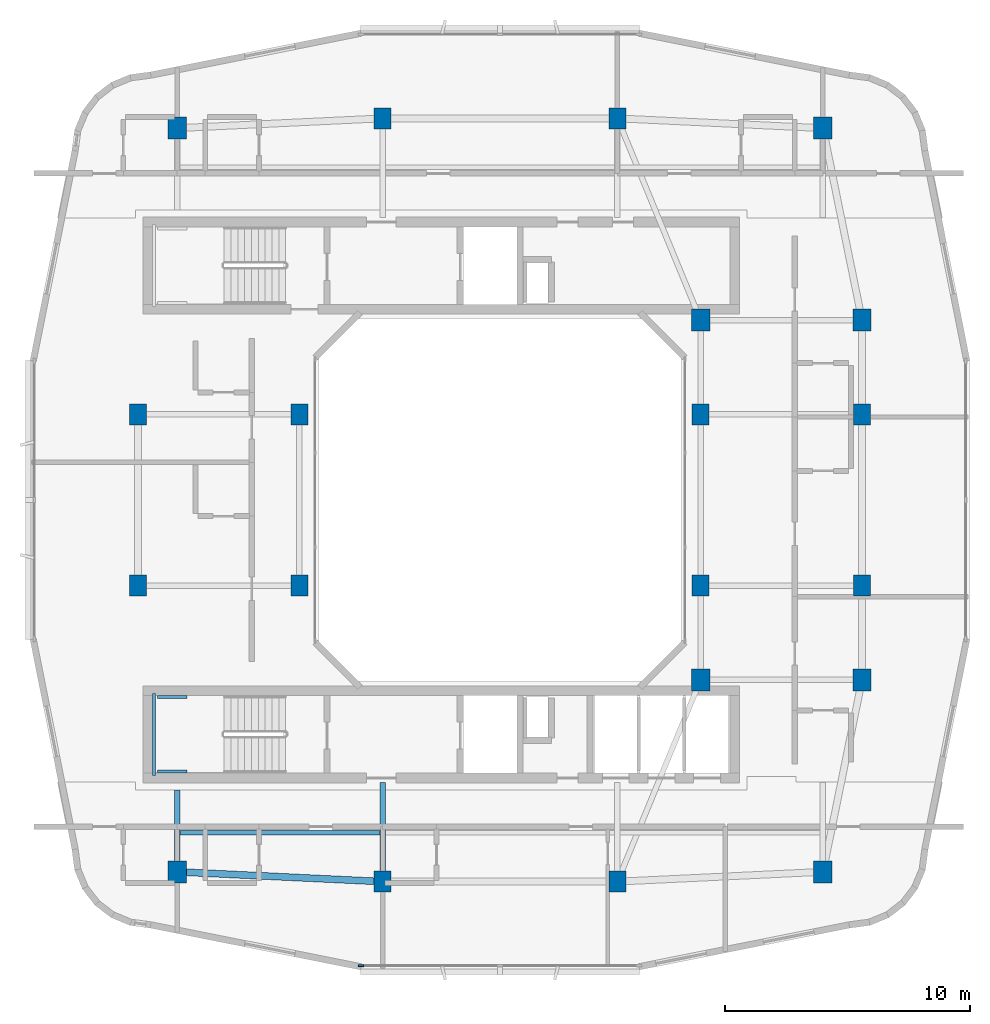
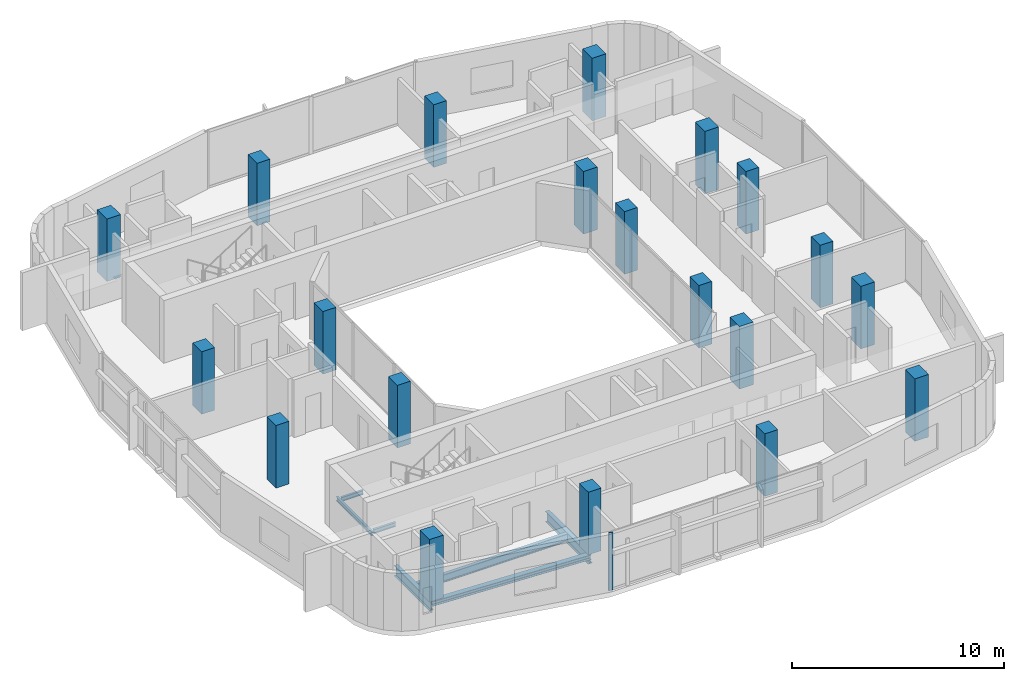
# One storey, part 1 of 14: 20 columns, 7 beams, 1 member, 1 element without a shape of its own.
"""IFC4 building model written with IfcOpenShell, lengths in metres."""

import ifcopenshell
import ifcopenshell.guid

model = None  # the IFC model being written
_history = None  # IfcOwnerHistory: only IFC2X3 demands one
_inside = {}  # id of a spatial element -> (the spatial element, [elements in it])
_under = {}  # id of a project, library or spatial element -> (it, [spatial elements below it])
_declared = {}  # id of a project -> (the project, [libraries it declares])
_typed = {}  # id of a type object -> (the type object, [elements of that type])
_made_of = {}  # id of a material, layer set ... -> (it, [elements and type objects made of it])


def new_model(schema):
    """Start an empty IFC model of exactly this schema.

    Asked for "IFC4X3", IfcOpenShell would pick the latest addendum, in which some entities
    have other attributes; the version numbers below select the first issue.
    IFC2X3 requires an IfcOwnerHistory on every rooted entity: one is made here for all.
    """
    global model, _history
    if schema == "IFC4X3":
        model = ifcopenshell.file(schema_version=(4, 3, 0, 0))
    else:
        model = ifcopenshell.file(schema=schema)
    _inside.clear()
    _under.clear()
    _declared.clear()
    _typed.clear()
    _made_of.clear()
    _history = None
    if model.schema == "IFC2X3":
        org = make("IfcOrganization", Name="unknown")
        user = make(
            "IfcPersonAndOrganization",
            ThePerson=make("IfcPerson", FamilyName="unknown"),
            TheOrganization=org,
        )
        app = make(
            "IfcApplication",
            ApplicationDeveloper=org,
            Version="unknown",
            ApplicationFullName="unknown",
            ApplicationIdentifier="unknown",
        )
        _history = make(
            "IfcOwnerHistory",
            OwningUser=user,
            OwningApplication=app,
            ChangeAction="ADDED",
            CreationDate=0,
        )
    return model


def make(cls, **values):
    """One entity of the class cls with the attributes given. An attribute that is None is left unset."""
    return model.create_entity(
        cls, **{name: value for name, value in values.items() if value is not None}
    )


def rooted(cls, **values):
    """An entity with a GlobalId (a new one), such as an element, a storey or a relation."""
    return make(cls, GlobalId=ifcopenshell.guid.new(), OwnerHistory=_history, **values)


def si_unit(unit_type, name, prefix=None):
    """IfcSIUnit, for example si_unit("LENGTHUNIT", "METRE", prefix="MILLI")."""
    return make("IfcSIUnit", UnitType=unit_type, Prefix=prefix, Name=name)


def derived_unit(unit_type, elements):
    """IfcDerivedUnit: a product of units, each with its exponent."""
    return make(
        "IfcDerivedUnit",
        Elements=[
            make("IfcDerivedUnitElement", Unit=unit, Exponent=power)
            for unit, power in elements
        ],
        UnitType=unit_type,
    )


def assignment(units):
    """IfcUnitAssignment: the units of a project."""
    return None if units is None else make("IfcUnitAssignment", Units=units)


def point(xyz):
    """IfcCartesianPoint."""
    return None if xyz is None else make("IfcCartesianPoint", Coordinates=xyz)


def direction(xyz):
    """IfcDirection."""
    return None if xyz is None else make("IfcDirection", DirectionRatios=xyz)


def frame(location, z_axis=None, x_axis=None):
    """IfcAxis2Placement3D, a coordinate frame: its origin and axes. An axis left out is left unset."""
    return make(
        "IfcAxis2Placement3D",
        Location=point(location),
        Axis=direction(z_axis),
        RefDirection=direction(x_axis),
    )


def frame_2d(location, x_axis=None):
    """IfcAxis2Placement2D, a coordinate frame in the plane: its origin and x axis."""
    return make(
        "IfcAxis2Placement2D", Location=point(location), RefDirection=direction(x_axis)
    )


def origin():
    """The frame at (0, 0, 0) with its axes left unset."""
    return frame((0.0, 0.0, 0.0))


def origin_2d():
    """The frame at (0, 0) in the plane with its x axis left unset."""
    return frame_2d((0.0, 0.0))


def place(relative_to, where):
    """IfcLocalPlacement: puts the frame where relative to a parent placement (None: the world)."""
    return make(
        "IfcLocalPlacement", PlacementRelTo=relative_to, RelativePlacement=where
    )


def context(
    kind, dimensions, precision=None, world=None, true_north=None, identifier=None
):
    """IfcGeometricRepresentationContext, for example the 3D "Model" context."""
    return make(
        "IfcGeometricRepresentationContext",
        ContextIdentifier=identifier,
        ContextType=kind,
        CoordinateSpaceDimension=dimensions,
        Precision=precision,
        WorldCoordinateSystem=world,
        TrueNorth=true_north,
    )


def subcontext(parent, identifier, kind, view, scale=None):
    """IfcGeometricRepresentationSubContext, for example "Body" below "Model"."""
    return make(
        "IfcGeometricRepresentationSubContext",
        ContextIdentifier=identifier,
        ContextType=kind,
        ParentContext=parent,
        TargetScale=scale,
        TargetView=view,
    )


def project(units=None, contexts=None):
    """IfcProject with its units and contexts."""
    return rooted(
        "IfcProject",
        Name="project",
        RepresentationContexts=contexts,
        UnitsInContext=assignment(units),
    )


def spatial(cls, under=None, at=None, **own):
    """A site, building, storey or space (cls), placed at a placement, below another one or the project."""
    s = rooted(cls, ObjectPlacement=at, **own)
    if under is not None:
        _under.setdefault(under.id(), (under, []))[1].append(s)
    return s


def profile(cls, at=None, kind="AREA", **sizes):
    """A parametric profile (cls). Its sizes go by their IFC names, for example OverallWidth=200.0."""
    return make(cls, ProfileType=kind, Position=at, **sizes)


def rectangle(**sizes):
    """IfcRectangleProfileDef."""
    return profile("IfcRectangleProfileDef", **sizes)


def i_section(**sizes):
    """IfcIShapeProfileDef."""
    return profile("IfcIShapeProfileDef", **sizes)


def extrude(swept, where, along, depth):
    """IfcExtrudedAreaSolid: the profile swept, set in the frame where, extruded along a direction by depth."""
    return make(
        "IfcExtrudedAreaSolid",
        SweptArea=swept,
        Position=where,
        ExtrudedDirection=direction(along),
        Depth=depth,
    )


def shape(context_of_items, identifier, shape_type, items):
    """IfcShapeRepresentation: the items that make up one representation, for example the "Body"."""
    return make(
        "IfcShapeRepresentation",
        ContextOfItems=context_of_items,
        RepresentationIdentifier=identifier,
        RepresentationType=shape_type,
        Items=items,
    )


def material(Name=None, Category=None):
    """IfcMaterial."""
    return make("IfcMaterial", Name=Name, Category=Category)


def layer(
    of_material, thickness, ventilated=None, Name=None, Category=None, Priority=None
):
    """IfcMaterialLayer: one layer of a wall or slab, of a material (None: an air gap)."""
    return make(
        "IfcMaterialLayer",
        Material=of_material,
        LayerThickness=thickness,
        IsVentilated=ventilated,
        Name=Name,
        Category=Category,
        Priority=Priority,
    )


def layer_set(layers, Name=None):
    """IfcMaterialLayerSet."""
    return make("IfcMaterialLayerSet", MaterialLayers=layers, LayerSetName=Name)


def material_profile(
    of_material, cross_section, Name=None, Category=None, Priority=None
):
    """IfcMaterialProfile: a cross section and its material."""
    return make(
        "IfcMaterialProfile",
        Name=Name,
        Material=of_material,
        Profile=cross_section,
        Priority=Priority,
        Category=Category,
    )


def profile_set(profiles, Name=None, composite=None):
    """IfcMaterialProfileSet."""
    return make(
        "IfcMaterialProfileSet",
        Name=Name,
        MaterialProfiles=profiles,
        CompositeProfile=composite,
    )


def made_of(thing, what):
    """Note that an element or type object is made of a material, layer set ...; save() writes the relation."""
    if what is not None:
        _made_of.setdefault(what.id(), (what, []))[1].append(thing)
    return thing


def type_object(cls, material=None, **own):
    """A type object (cls), such as IfcWallType, which elements share."""
    return made_of(rooted(cls, **own), material)


def element(
    cls,
    number,
    at=None,
    inside=None,
    cuts=None,
    type_object=None,
    material=None,
    context=None,
    identifier="Body",
    shape_type=None,
    held_by="IfcProductDefinitionShape",
    body=None,
    shapes=None,
    **own,
):
    """One element of the class cls, such as IfcWall. Its Tag is "e" and its number.

    at: its placement. inside: the storey or other place that contains it. cuts: it is an
    opening in that element (IfcRelVoidsElement). A single representation is given by context,
    identifier, shape_type and body (its items); several are given by shapes. held_by: the class
    of the entity that holds the representations. save() writes the other relations.
    """
    e = rooted(cls, Tag="e%d" % number, ObjectPlacement=at, **own)
    if body is not None:
        shapes = [shape(context, identifier, shape_type, body)]
    if shapes is not None:
        e.Representation = make(held_by, Representations=shapes)
    if inside is not None:
        _inside.setdefault(inside.id(), (inside, []))[1].append(e)
    if cuts is not None:
        rooted(
            "IfcRelVoidsElement", RelatingBuildingElement=cuts, RelatedOpeningElement=e
        )
    if type_object is not None:
        _typed.setdefault(type_object.id(), (type_object, []))[1].append(e)
    return made_of(e, material)


def aggregate(whole, parts):
    """IfcRelAggregates: a whole, such as a stair, and the parts it consists of."""
    return rooted("IfcRelAggregates", RelatingObject=whole, RelatedObjects=parts)


def save(model, path):
    """Write the relations noted so far, then the file.

    IfcRelAggregates (storeys below a building ...), IfcRelContainedInSpatialStructure (elements
    in a storey), IfcRelDefinesByType, IfcRelAssociatesMaterial and IfcRelDeclares: one each for
    every whole, place, type object, material and project.
    """
    for whole, parts in _under.values():
        aggregate(whole, parts)
    for where, things in _inside.values():
        rooted(
            "IfcRelContainedInSpatialStructure",
            RelatedElements=things,
            RelatingStructure=where,
        )
    for kind, things in _typed.values():
        rooted("IfcRelDefinesByType", RelatedObjects=things, RelatingType=kind)
    for what, things in _made_of.values():
        rooted("IfcRelAssociatesMaterial", RelatedObjects=things, RelatingMaterial=what)
    for by, libraries in _declared.values():
        rooted("IfcRelDeclares", RelatingContext=by, RelatedDefinitions=libraries)
    model.write(path)


model = new_model("IFC4")

# Units and contexts
model_context = context("Model", 3, precision=1e-05, world=origin(), true_north=direction((0.0, 1.0)))
body_context = subcontext(model_context, "Body", "Model", "MODEL_VIEW")
ifc_project = project(units=[si_unit("LENGTHUNIT", "METRE"), si_unit("AREAUNIT", "SQUARE_METRE"), si_unit("VOLUMEUNIT", "CUBIC_METRE"), si_unit("PLANEANGLEUNIT", "RADIAN"), si_unit("MASSUNIT", "GRAM", prefix="KILO"), derived_unit("THERMALTRANSMITTANCEUNIT", [(si_unit("POWERUNIT", "WATT"), 1), (si_unit("LENGTHUNIT", "METRE"), -2), (si_unit("THERMODYNAMICTEMPERATUREUNIT", "KELVIN"), -1)])], contexts=[model_context])

# Site, building, storey
site_placement = place(None, origin())
site = spatial("IfcSite", under=ifc_project, at=site_placement, CompositionType="ELEMENT")
building_placement = place(site_placement, origin())
building = spatial("IfcBuilding", under=site, at=building_placement, Name="Kivonza Crest Hotel", CompositionType="ELEMENT")
storey_placement = place(building_placement, frame((0.0, 0.0, 206.300048828125)))
storey = spatial("IfcBuildingStorey", under=building, at=storey_placement, Name="L56", CompositionType="ELEMENT", Elevation=206.300048828125)

# Columns
ifc_material_1 = material(Name="Concrete C50/60", Category="concrete")
ifc_material_profile_1 = material_profile(ifc_material_1, rectangle(XDim=0.699951171875, YDim=0.85009765625, at=origin_2d()), Name="RC 850x700")
ifc_profile_set_1 = profile_set([ifc_material_profile_1], Name="Concrete C50/60")
column_type_1 = type_object("IfcColumnType", Name="CL-RC-850x700", PredefinedType="COLUMN", material=ifc_profile_set_1)
for number, where, z_axis, x_axis, name in (
    (1, (16.199951171875, 9.39990234375, 0.0), (0.0, 0.0, 1.0), (1.0, 0.0, 0.0), "Tower T1 L56 column S1"),
    (2, (25.800048828125, 9.39990234375, 0.0), (0.0, 0.0, 1.0), (1.0, 0.0, 0.0), "Tower T1 L56 column S2"),
    (3, (16.199951171875, 40.60009765625, 0.0), (0.0, 0.0, 1.0), (1.0, 0.0, 0.0), "Tower T1 L56 column N1"),
    (4, (25.800048828125, 40.60009765625, 0.0), (0.0, 0.0, 1.0), (1.0, 0.0, 0.0), "Tower T1 L56 column N2"),
    (5, (6.199951171875, 21.5, 0.0), (0.0, 0.0, 1.0), (1.0, 0.0, 0.0), "Tower T1 L56 column W1"),
    (6, (6.199951171875, 28.5, 0.0), (0.0, 0.0, 1.0), (1.0, 0.0, 0.0), "Tower T1 L56 column W2"),
    (7, (35.800048828125, 21.5, 0.0), (0.0, 0.0, 1.0), (1.0, 0.0, 0.0), "Tower T1 L56 column E1"),
    (8, (35.800048828125, 28.5, 0.0), (0.0, 0.0, 1.0), (1.0, 0.0, 0.0), "Tower T1 L56 column E2"),
    (9, (12.800048828125, 21.5, 0.0), (0.0, 0.0, 1.0), (1.0, 0.0, 0.0), "Tower T1 L56 column WL1"),
    (10, (12.800048828125, 28.5, 0.0), (0.0, 0.0, 1.0), (1.0, 0.0, 0.0), "Tower T1 L56 column WL2"),
    (11, (29.199951171875, 21.5, 0.0), (0.0, 0.0, 1.0), (1.0, 0.0, 0.0), "Tower T1 L56 column WR1"),
    (12, (29.199951171875, 28.5, 0.0), (0.0, 0.0, 1.0), (1.0, 0.0, 0.0), "Tower T1 L56 column WR2"),
):
    element("IfcColumn", number, at=place(storey_placement, frame(where, z_axis=z_axis, x_axis=x_axis)), inside=storey, type_object=column_type_1, Name=name, PredefinedType="COLUMN", context=body_context, shape_type="SweptSolid", body=[
        extrude(rectangle(XDim=0.699951171875, YDim=0.85009765625, at=origin_2d()), origin(), (0.0, 0.0, 1.0), 3.599853515625),
    ])
ifc_material_profile_2 = material_profile(ifc_material_1, rectangle(XDim=0.75, YDim=0.89990234375, at=origin_2d()), Name="RC 900x750")
ifc_profile_set_2 = profile_set([ifc_material_profile_2], Name="Concrete C50/60")
column_type_2 = type_object("IfcColumnType", Name="CL-RC-900x750", PredefinedType="COLUMN", material=ifc_profile_set_2)
for number, where, z_axis, x_axis, name in (
    (13, (7.800048828125, 9.800048828125, 0.0), (0.0, 0.0, 1.0), (1.0, 0.0, 0.0), "Tower T1 L56 column SW"),
    (14, (34.199951171875, 9.800048828125, 0.0), (0.0, 0.0, 1.0), (1.0, 0.0, 0.0), "Tower T1 L56 column SE"),
    (15, (34.199951171875, 40.199951171875, 0.0), (0.0, 0.0, 1.0), (1.0, 0.0, 0.0), "Tower T1 L56 column NE"),
    (16, (7.800048828125, 40.199951171875, 0.0), (0.0, 0.0, 1.0), (1.0, 0.0, 0.0), "Tower T1 L56 column NW"),
    (17, (35.800048828125, 17.64990234375, 0.0), (0.0, 0.0, 1.0), (1.0, 0.0, 0.0), "Tower T1 L56 column PSE"),
    (18, (35.800048828125, 32.35009765625, 0.0), (0.0, 0.0, 1.0), (1.0, 0.0, 0.0), "Tower T1 L56 column PNE"),
    (19, (29.199951171875, 17.64990234375, 0.0), (0.0, 0.0, 1.0), (1.0, 0.0, 0.0), "Tower T1 L56 column TSE"),
    (20, (29.199951171875, 32.35009765625, 0.0), (0.0, 0.0, 1.0), (1.0, 0.0, 0.0), "Tower T1 L56 column TNE"),
):
    element("IfcColumn", number, at=place(storey_placement, frame(where, z_axis=z_axis, x_axis=x_axis)), inside=storey, type_object=column_type_2, Name=name, PredefinedType="COLUMN", context=body_context, shape_type="SweptSolid", body=[
        extrude(rectangle(XDim=0.75, YDim=0.89990234375, at=origin_2d()), origin(), (0.0, 0.0, 1.0), 3.599853515625),
    ])

# Beams
ifc_material_2 = material(Name="Steel S355", Category="steel")
ifc_material_profile_3 = material_profile(ifc_material_2, i_section(OverallWidth=0.280029296875, OverallDepth=0.280029296875, WebThickness=0.010498046875, FlangeThickness=0.01806640625, FilletRadius=0.02392578125, at=origin_2d()), Name="HEB 280")
ifc_profile_set_3 = profile_set([ifc_material_profile_3], Name="Steel S355")
beam_type_1 = type_object("IfcBeamType", Name="BM-HEB280", PredefinedType="SPANDREL", material=ifc_profile_set_3)
beam_1_placement = place(storey_placement, frame((7.800048828125, 9.800048828125, -0.420166015625), z_axis=(0.998867283688, -0.047583080799, 0.0), x_axis=(0.047583080799, 0.998867283688, 0.0)))
element("IfcBeam", 21, at=beam_1_placement, inside=storey, type_object=beam_type_1, Name="Tower T1 L56 perimeter spandrel SW-S1", PredefinedType="SPANDREL", context=body_context, shape_type="SweptSolid", body=[
    extrude(i_section(OverallWidth=0.280029296875, OverallDepth=0.280029296875, WebThickness=0.010498046875, FlangeThickness=0.01806640625, FilletRadius=0.02392578125, at=origin_2d()), origin(), (0.0, 0.0, 1.0), 8.409423828125),
])
ifc_material_profile_4 = material_profile(ifc_material_2, i_section(OverallWidth=0.18994140625, OverallDepth=0.449951171875, WebThickness=0.009521484375, FlangeThickness=0.0146484375, FilletRadius=0.02099609375, at=origin_2d()), Name="IPE 450")
ifc_profile_set_4 = profile_set([ifc_material_profile_4], Name="Steel S355")
beam_type_2 = type_object("IfcBeamType", Name="BM-IPE450", PredefinedType="JOIST", material=ifc_profile_set_4)
beam_2_placement = place(storey_placement, frame((7.8798828125, 11.39990234375, -0.505126953125), z_axis=(1.0, 0.0, 0.0), x_axis=(0.0, 1.0, 0.0)))
element("IfcBeam", 22, at=beam_2_placement, inside=storey, type_object=beam_type_2, Name="Tower T1 L56 South-West floor joist", PredefinedType="JOIST", context=body_context, shape_type="SweptSolid", body=[
    extrude(i_section(OverallWidth=0.18994140625, OverallDepth=0.449951171875, WebThickness=0.009521484375, FlangeThickness=0.0146484375, FilletRadius=0.02099609375, at=origin_2d()), origin(), (0.0, 0.0, 1.0), 8.240234375),
])
ifc_material_profile_5 = material_profile(ifc_material_2, i_section(OverallWidth=0.219970703125, OverallDepth=0.60009765625, WebThickness=0.011962890625, FlangeThickness=0.01904296875, FilletRadius=0.02392578125, at=origin_2d()), Name="IPE 600")
ifc_profile_set_5 = profile_set([ifc_material_profile_5], Name="Steel S355")
beam_type_3 = type_object("IfcBeamType", Name="BM-IPE600", PredefinedType="BEAM", material=ifc_profile_set_5)
beam_3_placement = place(storey_placement, frame((7.800048828125, 9.800048828125, -0.580078125), z_axis=(0.0, 1.0, 0.0), x_axis=(-1.0, 0.0, 0.0)))
element("IfcBeam", 23, at=beam_3_placement, inside=storey, type_object=beam_type_3, Name="Tower T1 L56 radial core girder RSW", PredefinedType="BEAM", context=body_context, shape_type="SweptSolid", body=[
    extrude(i_section(OverallWidth=0.219970703125, OverallDepth=0.60009765625, WebThickness=0.011962890625, FlangeThickness=0.01904296875, FilletRadius=0.02392578125, at=origin_2d()), origin(), (0.0, 0.0, 1.0), 3.349853515625),
])
beam_4_placement = place(storey_placement, frame((16.199951171875, 9.39990234375, -0.580078125), z_axis=(0.0, 1.0, 0.0), x_axis=(-1.0, 0.0, 0.0)))
element("IfcBeam", 24, at=beam_4_placement, inside=storey, type_object=beam_type_3, Name="Tower T1 L56 radial core girder RS1", PredefinedType="BEAM", context=body_context, shape_type="SweptSolid", body=[
    extrude(i_section(OverallWidth=0.219970703125, OverallDepth=0.60009765625, WebThickness=0.011962890625, FlangeThickness=0.01904296875, FilletRadius=0.02392578125, at=origin_2d()), origin(), (0.0, 0.0, 1.0), 4.050048828125),
])
ifc_material_profile_6 = material_profile(ifc_material_2, i_section(OverallWidth=0.1201171875, OverallDepth=0.239990234375, WebThickness=0.006103515625, FlangeThickness=0.009765625, FilletRadius=0.014892578125, at=origin_2d()), Name="IPE 240")
ifc_profile_set_6 = profile_set([ifc_material_profile_6], Name="Steel S355")
beam_type_4 = type_object("IfcBeamType", Name="BM-LLDG-240", PredefinedType="BEAM", material=ifc_profile_set_6)
beam_5_placement = place(storey_placement, frame((6.860107421875, 13.739990234375, 1.47998046875), z_axis=(0.0, 1.0, 0.0), x_axis=(-1.0, 0.0, 0.0)))
element("IfcBeam", 25, at=beam_5_placement, inside=storey, type_object=beam_type_4, Name="Stair ST-T1-S L56 West landing corbel", PredefinedType="BEAM", context=body_context, shape_type="SweptSolid", body=[
    extrude(i_section(OverallWidth=0.1201171875, OverallDepth=0.239990234375, WebThickness=0.006103515625, FlangeThickness=0.009765625, FilletRadius=0.014892578125, at=origin_2d()), origin(), (0.0, 0.0, 1.0), 3.360107421875),
])
for number, where, z_axis, x_axis, name in (
    (26, (6.989990234375, 13.89990234375, 1.47998046875), (1.0, 0.0, 0.0), (0.0, 1.0, 0.0), "Stair ST-T1-S L56 South landing corbel"),
    (27, (6.989990234375, 16.93994140625, 1.47998046875), (1.0, 0.0, 0.0), (0.0, 1.0, 0.0), "Stair ST-T1-S L56 North landing corbel"),
):
    element("IfcBeam", number, at=place(storey_placement, frame(where, z_axis=z_axis, x_axis=x_axis)), inside=storey, type_object=beam_type_4, Name=name, PredefinedType="BEAM", context=body_context, shape_type="SweptSolid", body=[
        extrude(i_section(OverallWidth=0.1201171875, OverallDepth=0.239990234375, WebThickness=0.006103515625, FlangeThickness=0.009765625, FilletRadius=0.014892578125, at=origin_2d()), origin(), (0.0, 0.0, 1.0), 1.2099609375),
    ])

# Curtain wall, member
ifc_material_3 = material(Name="Anodised bronze aluminium and low-E double glazing", Category="aluminium")
ifc_layer = layer(ifc_material_3, 0.179931640625)
ifc_layer_set = layer_set([ifc_layer], Name="Anodised bronze aluminium and low-E double glazing")
curtain_wall_type = type_object("IfcCurtainWallType", Name="CW-SYS-3", PredefinedType="NOTDEFINED", material=ifc_layer_set)
curtain_wall_placement = place(storey_placement, origin())
curtain_wall = element("IfcCurtainWall", 28, at=curtain_wall_placement, inside=storey, type_object=curtain_wall_type, Name="L56 unitised curtain wall CW-T1-L56-08", PredefinedType="NOTDEFINED")
ifc_material_4 = material(Name="Anodised bronze aluminium", Category="aluminium")
ifc_material_profile_7 = material_profile(ifc_material_4, rectangle(XDim=0.074951171875, YDim=0.219970703125, at=origin_2d()), Name="CW-M 75x220")
ifc_profile_set_7 = profile_set([ifc_material_profile_7], Name="Anodised bronze aluminium")
member_type = type_object("IfcMemberType", Name="CW-MUL-75x220", PredefinedType="MULLION", material=ifc_profile_set_7)
member_placement = place(storey_placement, frame((15.3173828125, 5.9599609375, 0.0), z_axis=(0.0, 0.0, 1.0), x_axis=(0.0, 1.0, 0.0)))
member = element("IfcMember", 29, at=member_placement, type_object=member_type, Name="CW-3 mullion 1", PredefinedType="MULLION", context=body_context, shape_type="SweptSolid", body=[
    extrude(rectangle(XDim=0.074951171875, YDim=0.219970703125, at=origin_2d()), origin(), (0.0, 0.0, 1.0), 3.320068359375),
])
aggregate(curtain_wall, [member])

save(model, "model.ifc")
